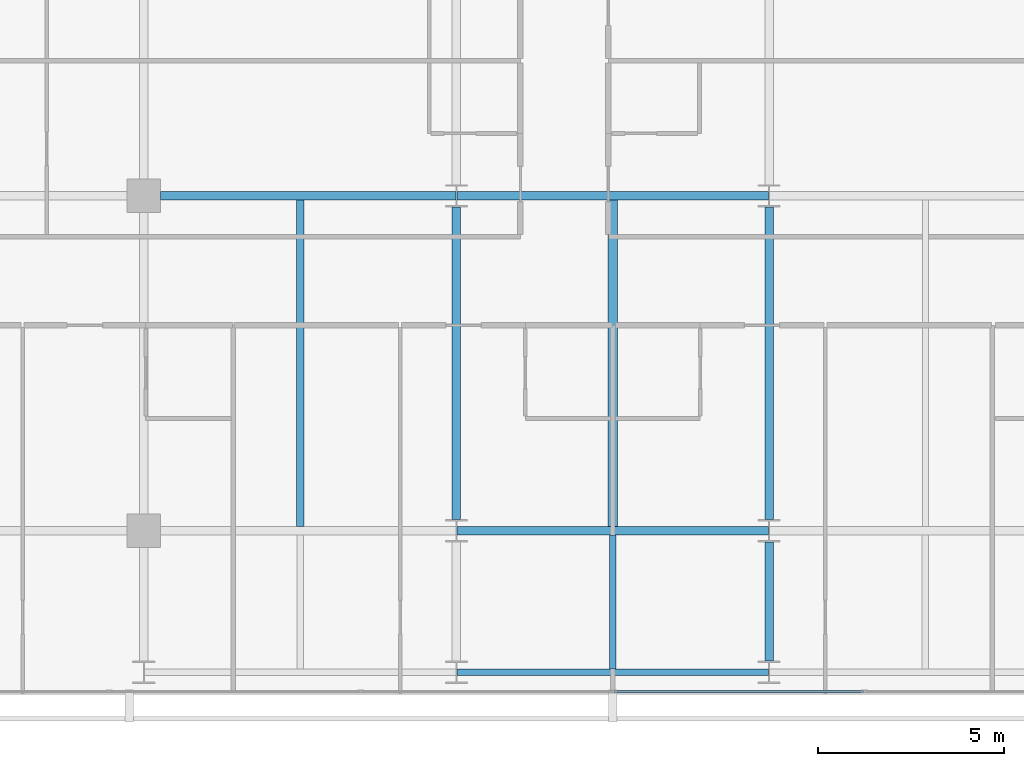
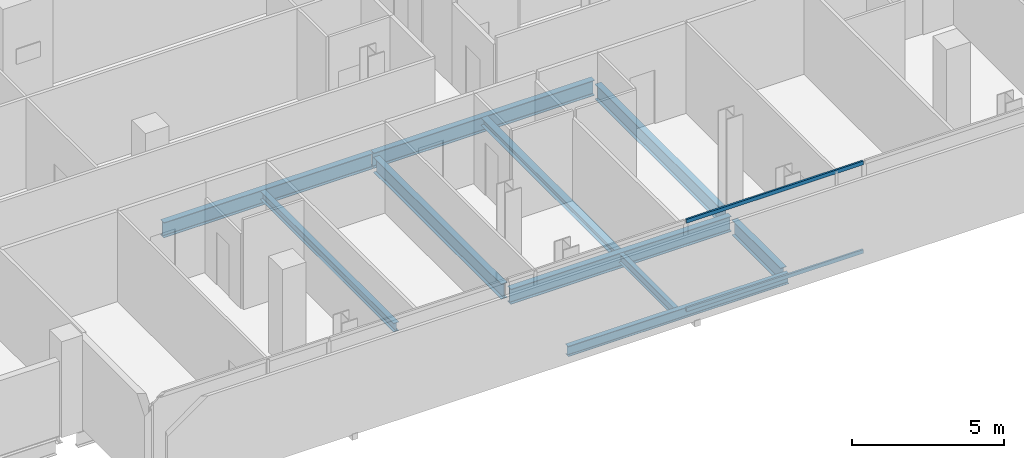
# One storey, part 7 of 34: 10 beams, 2 members, 1 element without a shape of its own.
"""IFC4 building model written with IfcOpenShell, lengths in metres."""

from ifc_helpers import new_model, si_unit, direction, frame, origin, origin_2d, place, context, subcontext, project, spatial, hollow_rectangle, i_section, extrude, material, layer, layer_set, material_profile, profile_set, type_object, element, aggregate, save


model = new_model("IFC4")

# Units and contexts
model_context = context("Model", 3, precision=1e-05, world=origin(), true_north=direction((0.0, 1.0)))
body_context = subcontext(model_context, "Body", "Model", "MODEL_VIEW")
ifc_project = project(units=[si_unit("LENGTHUNIT", "METRE"), si_unit("AREAUNIT", "SQUARE_METRE"), si_unit("VOLUMEUNIT", "CUBIC_METRE"), si_unit("PLANEANGLEUNIT", "RADIAN"), si_unit("MASSUNIT", "GRAM", prefix="KILO")], contexts=[model_context])

# Site, building, storey
site_placement = place(None, origin())
site = spatial("IfcSite", under=ifc_project, at=site_placement, CompositionType="ELEMENT")
building_placement = place(site_placement, origin())
building = spatial("IfcBuilding", under=site, at=building_placement, Name="Maruvema Waterfront Hotel and Observation Tower", CompositionType="ELEMENT")
storey_placement = place(building_placement, frame((0.0, 0.0, 146.64990234375)))
storey = spatial("IfcBuildingStorey", under=building, at=storey_placement, Name="L35", CompositionType="ELEMENT", Elevation=146.64990234375)

# Curtain wall, members
ifc_material_1 = material(Name="Anodised bronze aluminium and solar-control low-E IGU", Category="aluminium")
ifc_layer = layer(ifc_material_1, 0.159912109375, Name="Zone 2 Amber Inner Thermal Curtain Wall System CW-03")
ifc_layer_set = layer_set([ifc_layer], Name="Anodised bronze aluminium and solar-control low-E IGU")
curtain_wall_type = type_object("IfcCurtainWallType", Name="Zone 2 Amber Inner Thermal Curtain Wall System CW-03", PredefinedType="USERDEFINED", material=ifc_layer_set)
curtain_wall_placement = place(storey_placement, origin())
curtain_wall = element("IfcCurtainWall", 1, at=curtain_wall_placement, inside=storey, type_object=curtain_wall_type, Name="L35 Curtain Wall CW-L35-S", ObjectType="UNITISED CURTAIN WALL", PredefinedType="USERDEFINED")
ifc_material_2 = material(Name="Anodised architectural bronze aluminium", Category="aluminium")
ifc_material_profile_1 = material_profile(ifc_material_2, hollow_rectangle(XDim=0.070068359375, YDim=0.14990234375, WallThickness=0.00390625, at=origin_2d()), Name="ALU-T70x150")
ifc_profile_set_1 = profile_set([ifc_material_profile_1], Name="Anodised architectural bronze aluminium")
member_type = type_object("IfcMemberType", Name="Curtain Wall Horizontal Transom ALU-T70x150", PredefinedType="USERDEFINED", material=ifc_profile_set_1)
member_1_placement = place(storey_placement, frame((37.830078125, 4.679931640625, 0.030029296875), z_axis=(1.0, 0.0, 0.0), x_axis=(0.0, 1.0, 0.0)))
member_1 = element("IfcMember", 2, at=member_1_placement, type_object=member_type, Name="CW-03 transom 4.1", ObjectType="TRANSOM", PredefinedType="USERDEFINED", context=body_context, shape_type="SweptSolid", body=[
    extrude(hollow_rectangle(XDim=0.070068359375, YDim=0.14990234375, WallThickness=0.00390625, at=origin_2d()), origin(), (0.0, 0.0, 1.0), 6.70654296875),
])
member_2_placement = place(storey_placement, frame((37.830078125, 4.679931640625, 3.580078125), z_axis=(1.0, 0.0, 0.0), x_axis=(0.0, 1.0, 0.0)))
member_2 = element("IfcMember", 3, at=member_2_placement, type_object=member_type, Name="CW-03 transom 4.2", ObjectType="TRANSOM", PredefinedType="USERDEFINED", context=body_context, shape_type="SweptSolid", body=[
    extrude(hollow_rectangle(XDim=0.070068359375, YDim=0.14990234375, WallThickness=0.00390625, at=origin_2d()), origin(), (0.0, 0.0, 1.0), 6.70654296875),
])
aggregate(curtain_wall, [member_1, member_2])

# Beams
ifc_material_3 = material(Name="Steel ASTM A572 Grade 50", Category="steel")
ifc_material_profile_2 = material_profile(ifc_material_3, i_section(OverallWidth=0.180908203125, OverallDepth=0.4169921875, WebThickness=0.010986328125, FlangeThickness=0.018310546875, FilletRadius=0.014892578125, at=origin_2d()), Name="W410x85.0")
ifc_profile_set_2 = profile_set([ifc_material_profile_2], Name="Steel ASTM A572 Grade 50")
beam_type_1 = type_object("IfcBeamType", Name="Perimeter Spandrel Beam W410x85.0", PredefinedType="SPANDREL", material=ifc_profile_set_2)
beam_1_placement = place(storey_placement, frame((33.612548828125, 5.199951171875, -0.448486328125), z_axis=(1.0, 0.0, 0.0), x_axis=(0.0, 1.0, 0.0)))
element("IfcBeam", 4, at=beam_1_placement, inside=storey, type_object=beam_type_1, Name="L35 Floor Girder EW-02", PredefinedType="SPANDREL", context=body_context, shape_type="SweptSolid", body=[
    extrude(i_section(OverallWidth=0.180908203125, OverallDepth=0.4169921875, WebThickness=0.010986328125, FlangeThickness=0.018310546875, FilletRadius=0.014892578125, at=origin_2d()), origin(), (0.0, 0.0, 1.0), 8.375),
])
ifc_material_4 = material(Name="Steel ASTM A572 Grade 50", Category="steel")
ifc_material_profile_3 = material_profile(ifc_material_4, i_section(OverallWidth=0.22900390625, OverallDepth=0.612060546875, WebThickness=0.011962890625, FlangeThickness=0.01953125, FilletRadius=0.01806640625, at=origin_2d()), Name="W610x125.0")
ifc_profile_set_3 = profile_set([ifc_material_profile_3], Name="Steel ASTM A572 Grade 50")
beam_type_2 = type_object("IfcBeamType", Name="Primary Floor Girder W610x125.0", PredefinedType="BEAM", material=ifc_profile_set_3)
beam_2_placement = place(storey_placement, frame((33.612548828125, 9.0, -0.5458984375), z_axis=(1.0, 0.0, 0.0), x_axis=(0.0, 1.0, 0.0)))
element("IfcBeam", 5, at=beam_2_placement, inside=storey, type_object=beam_type_2, Name="L35 Floor Girder EW-07", PredefinedType="BEAM", context=body_context, shape_type="SweptSolid", body=[
    extrude(i_section(OverallWidth=0.22900390625, OverallDepth=0.612060546875, WebThickness=0.011962890625, FlangeThickness=0.01953125, FilletRadius=0.01806640625, at=origin_2d()), origin(), (0.0, 0.0, 1.0), 8.375),
])
beam_3_placement = place(storey_placement, frame((25.64990234375, 18.0, -0.5458984375), z_axis=(1.0, 0.0, 0.0), x_axis=(0.0, 1.0, 0.0)))
element("IfcBeam", 6, at=beam_3_placement, inside=storey, type_object=beam_type_2, Name="L35 Floor Girder EW-13", PredefinedType="BEAM", context=body_context, shape_type="SweptSolid", body=[
    extrude(i_section(OverallWidth=0.22900390625, OverallDepth=0.612060546875, WebThickness=0.011962890625, FlangeThickness=0.01953125, FilletRadius=0.01806640625, at=origin_2d()), origin(), (0.0, 0.0, 1.0), 7.9375),
])
beam_4_placement = place(storey_placement, frame((33.612548828125, 18.0, -0.5458984375), z_axis=(1.0, 0.0, 0.0), x_axis=(0.0, 1.0, 0.0)))
element("IfcBeam", 7, at=beam_4_placement, inside=storey, type_object=beam_type_2, Name="L35 Floor Girder EW-14", PredefinedType="BEAM", context=body_context, shape_type="SweptSolid", body=[
    extrude(i_section(OverallWidth=0.22900390625, OverallDepth=0.612060546875, WebThickness=0.011962890625, FlangeThickness=0.01953125, FilletRadius=0.01806640625, at=origin_2d()), origin(), (0.0, 0.0, 1.0), 8.375),
])
beam_5_placement = place(storey_placement, frame((33.60009765625, 9.300048828125, -0.5458984375), z_axis=(0.0, 1.0, 0.0), x_axis=(-1.0, 0.0, 0.0)))
element("IfcBeam", 8, at=beam_5_placement, inside=storey, type_object=beam_type_2, Name="L35 Floor Girder NS-15", PredefinedType="BEAM", context=body_context, shape_type="SweptSolid", body=[
    extrude(i_section(OverallWidth=0.22900390625, OverallDepth=0.612060546875, WebThickness=0.011962890625, FlangeThickness=0.01953125, FilletRadius=0.01806640625, at=origin_2d()), origin(), (0.0, 0.0, 1.0), 8.39990234375),
])
beam_6_placement = place(storey_placement, frame((42.0, 5.5, -0.5458984375), z_axis=(0.0, 1.0, 0.0), x_axis=(-1.0, 0.0, 0.0)))
element("IfcBeam", 9, at=beam_6_placement, inside=storey, type_object=beam_type_2, Name="L35 Floor Girder NS-17", PredefinedType="BEAM", context=body_context, shape_type="SweptSolid", body=[
    extrude(i_section(OverallWidth=0.22900390625, OverallDepth=0.612060546875, WebThickness=0.011962890625, FlangeThickness=0.01953125, FilletRadius=0.01806640625, at=origin_2d()), origin(), (0.0, 0.0, 1.0), 3.199951171875),
])
beam_7_placement = place(storey_placement, frame((42.0, 9.300048828125, -0.5458984375), z_axis=(0.0, 1.0, 0.0), x_axis=(-1.0, 0.0, 0.0)))
element("IfcBeam", 10, at=beam_7_placement, inside=storey, type_object=beam_type_2, Name="L35 Floor Girder NS-18", PredefinedType="BEAM", context=body_context, shape_type="SweptSolid", body=[
    extrude(i_section(OverallWidth=0.22900390625, OverallDepth=0.612060546875, WebThickness=0.011962890625, FlangeThickness=0.01953125, FilletRadius=0.01806640625, at=origin_2d()), origin(), (0.0, 0.0, 1.0), 8.39990234375),
])
ifc_material_5 = material(Name="Steel ASTM A572 Grade 50", Category="steel")
ifc_material_profile_4 = material_profile(ifc_material_5, i_section(OverallWidth=0.25390625, OverallDepth=0.305908203125, WebThickness=0.0087890625, FlangeThickness=0.0146484375, FilletRadius=0.014892578125, at=origin_2d()), Name="W310x79.0")
ifc_profile_set_4 = profile_set([ifc_material_profile_4], Name="Steel ASTM A572 Grade 50")
beam_type_3 = type_object("IfcBeamType", Name="Secondary Floor Joist W310x79.0", PredefinedType="JOIST", material=ifc_profile_set_4)
beam_8_placement = place(storey_placement, frame((37.800048828125, 9.114501953125, -0.392822265625), z_axis=(0.0, 1.0, 0.0), x_axis=(-1.0, 0.0, 0.0)))
element("IfcBeam", 11, at=beam_8_placement, inside=storey, type_object=beam_type_3, Name="L35 Secondary Floor Joist JS-08", PredefinedType="JOIST", context=body_context, shape_type="SweptSolid", body=[
    extrude(i_section(OverallWidth=0.25390625, OverallDepth=0.305908203125, WebThickness=0.0087890625, FlangeThickness=0.0146484375, FilletRadius=0.014892578125, at=origin_2d()), origin(), (0.0, 0.0, 1.0), 8.77099609375),
])
ifc_material_6 = material(Name="Steel ASTM A572 Grade 50", Category="steel")
ifc_material_profile_5 = material_profile(ifc_material_6, i_section(OverallWidth=0.1708984375, OverallDepth=0.35498046875, WebThickness=0.007080078125, FlangeThickness=0.01171875, FilletRadius=0.014892578125, at=origin_2d()), Name="W360x51.0")
ifc_profile_set_5 = profile_set([ifc_material_profile_5], Name="Steel ASTM A572 Grade 50")
beam_type_4 = type_object("IfcBeamType", Name="Secondary Floor Joist W360x51.0", PredefinedType="JOIST", material=ifc_profile_set_5)
beam_9_placement = place(storey_placement, frame((37.800048828125, 5.29052734375, -0.41748046875), z_axis=(0.0, 1.0, 0.0), x_axis=(-1.0, 0.0, 0.0)))
element("IfcBeam", 12, at=beam_9_placement, inside=storey, type_object=beam_type_4, Name="L35 Secondary Floor Joist JS-07", PredefinedType="JOIST", context=body_context, shape_type="SweptSolid", body=[
    extrude(i_section(OverallWidth=0.1708984375, OverallDepth=0.35498046875, WebThickness=0.007080078125, FlangeThickness=0.01171875, FilletRadius=0.014892578125, at=origin_2d()), origin(), (0.0, 0.0, 1.0), 3.594970703125),
])
ifc_material_7 = material(Name="Steel ASTM A572 Grade 50", Category="steel")
ifc_material_profile_6 = material_profile(ifc_material_7, i_section(OverallWidth=0.202880859375, OverallDepth=0.346923828125, WebThickness=0.0078125, FlangeThickness=0.013427734375, FilletRadius=0.014892578125, at=origin_2d()), Name="W360x64.0")
ifc_profile_set_6 = profile_set([ifc_material_profile_6], Name="Steel ASTM A572 Grade 50")
beam_type_5 = type_object("IfcBeamType", Name="Secondary Floor Joist W360x64.0", PredefinedType="JOIST", material=ifc_profile_set_6)
beam_10_placement = place(storey_placement, frame((29.39990234375, 9.114501953125, -0.413330078125), z_axis=(0.0, 1.0, 0.0), x_axis=(-1.0, 0.0, 0.0)))
element("IfcBeam", 13, at=beam_10_placement, inside=storey, type_object=beam_type_5, Name="L35 Secondary Floor Joist JS-06", PredefinedType="JOIST", context=body_context, shape_type="SweptSolid", body=[
    extrude(i_section(OverallWidth=0.202880859375, OverallDepth=0.346923828125, WebThickness=0.0078125, FlangeThickness=0.013427734375, FilletRadius=0.014892578125, at=origin_2d()), origin(), (0.0, 0.0, 1.0), 8.77099609375),
])

save(model, "model.ifc")
